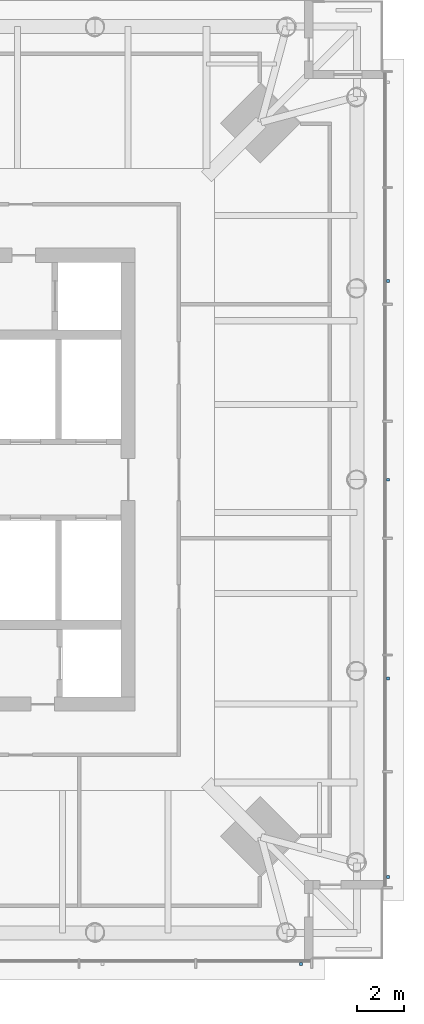
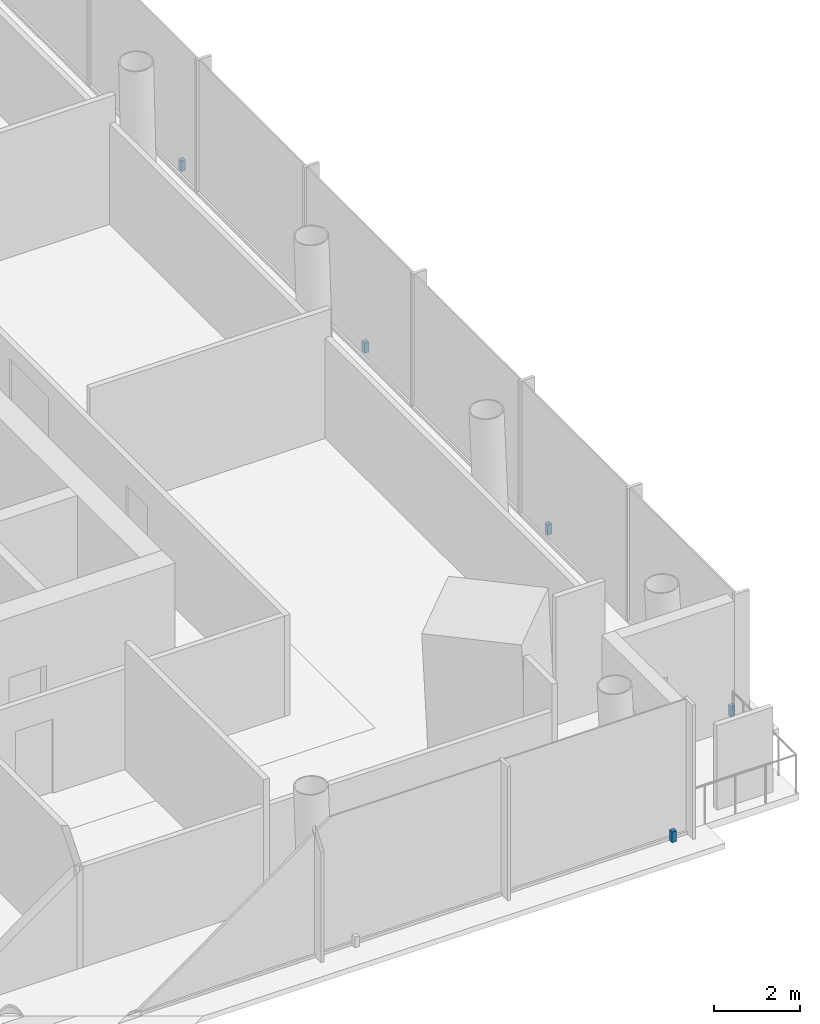
# One storey, part 8 of 12: 5 discrete accessories.
"""IFC4 building model written with IfcOpenShell, lengths in metres."""

from ifc_helpers import new_model, si_unit, direction, frame, origin, origin_2d, place, context, subcontext, project, spatial, rectangle, extrude, material, type_object, element, save


model = new_model("IFC4")

# Units and contexts
model_context = context("Model", 3, precision=1e-05, world=origin(), true_north=direction((0.0, 1.0)))
body_context = subcontext(model_context, "Body", "Model", "MODEL_VIEW")
ifc_project = project(units=[si_unit("LENGTHUNIT", "METRE"), si_unit("AREAUNIT", "SQUARE_METRE"), si_unit("VOLUMEUNIT", "CUBIC_METRE"), si_unit("PLANEANGLEUNIT", "RADIAN"), si_unit("MASSUNIT", "GRAM", prefix="KILO")], contexts=[model_context])

# Site, building, storey
site_placement = place(None, origin())
site = spatial("IfcSite", under=ifc_project, at=site_placement, CompositionType="ELEMENT")
building_placement = place(site_placement, origin())
building = spatial("IfcBuilding", under=site, at=building_placement, Name="Ostroluk Exchange", CompositionType="ELEMENT")
storey_placement = place(building_placement, frame((0.0, 0.0, 165.39990234375)))
storey = spatial("IfcBuildingStorey", under=building, at=storey_placement, Name="L42", CompositionType="ELEMENT", Elevation=165.39990234375)

# Discrete accessories
ifc_material = material(Name="Stainless steel", Category="steel")
discrete_accessory_type = type_object("IfcDiscreteAccessoryType", Name="Fall-arrest anchor PN-EN 795 type C", PredefinedType="USERDEFINED", material=ifc_material)
for number, where, z_axis, x_axis, name in (
    (1, (62.0, 25.2900390625, 0.0), (0.0, 0.0, 1.0), (1.0, 0.0, 0.0), "Fall-arrest anchor L42 south 5"),
    (2, (65.7099609375, 29.0, 0.0), (0.0, 0.0, 1.0), (1.0, 0.0, 0.0), "Fall-arrest anchor L42 east 1"),
    (3, (65.7099609375, 37.5, 0.0), (0.0, 0.0, 1.0), (1.0, 0.0, 0.0), "Fall-arrest anchor L42 east 2"),
    (4, (65.7099609375, 46.0, 0.0), (0.0, 0.0, 1.0), (1.0, 0.0, 0.0), "Fall-arrest anchor L42 east 3"),
    (5, (65.7099609375, 54.5, 0.0), (0.0, 0.0, 1.0), (1.0, 0.0, 0.0), "Fall-arrest anchor L42 east 4"),
):
    element("IfcDiscreteAccessory", number, at=place(storey_placement, frame(where, z_axis=z_axis, x_axis=x_axis)), inside=storey, type_object=discrete_accessory_type, Name=name, ObjectType="FALL ARREST ANCHOR", PredefinedType="USERDEFINED", context=body_context, shape_type="SweptSolid", body=[
        extrude(rectangle(XDim=0.1201171875, YDim=0.1201171875, at=origin_2d()), origin(), (0.0, 0.0, 1.0), 0.300048828125),
    ])

save(model, "model.ifc")
